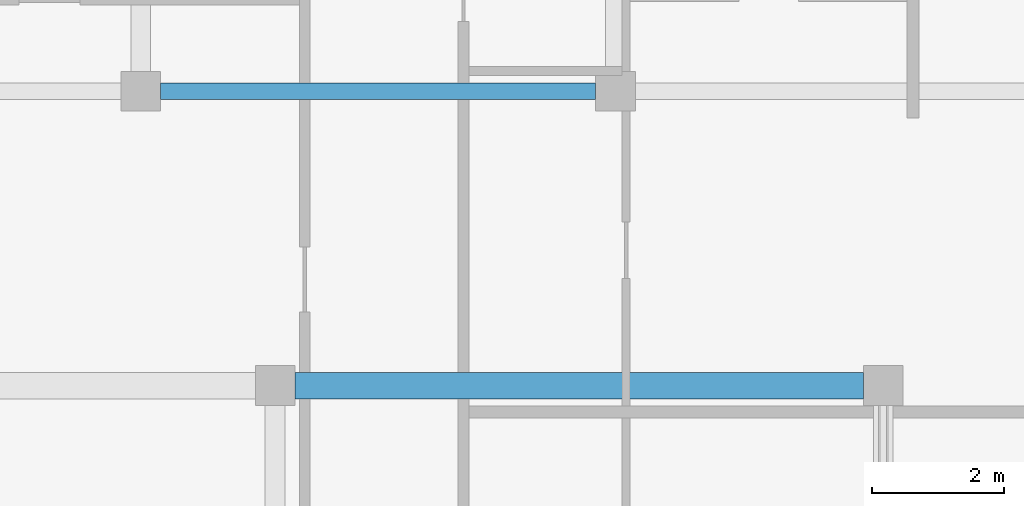
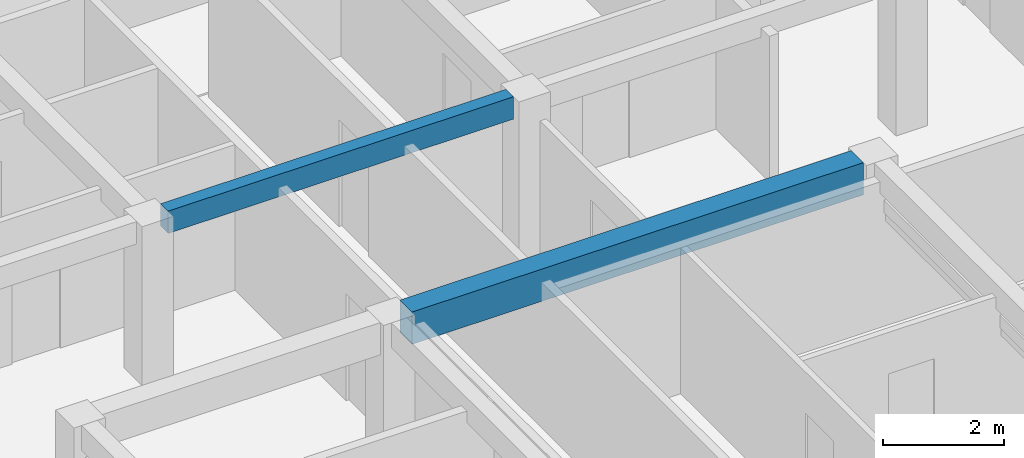
# One storey, part 15 of 76: 2 beams.
"""IFC4 building model written with IfcOpenShell, lengths in metres."""

from ifc_helpers import new_model, si_unit, direction, frame, origin, origin_2d, place, context, subcontext, project, spatial, rectangle, extrude, material, material_profile, profile_set, type_object, element, save


model = new_model("IFC4")

# Units and contexts
model_context = context("Model", 3, precision=1e-05, world=origin(), true_north=direction((0.0, 1.0)))
body_context = subcontext(model_context, "Body", "Model", "MODEL_VIEW")
ifc_project = project(units=[si_unit("LENGTHUNIT", "METRE"), si_unit("AREAUNIT", "SQUARE_METRE"), si_unit("VOLUMEUNIT", "CUBIC_METRE"), si_unit("PLANEANGLEUNIT", "RADIAN"), si_unit("MASSUNIT", "GRAM", prefix="KILO")], contexts=[model_context])

# Site, building, storey
site_placement = place(None, origin())
site = spatial("IfcSite", under=ifc_project, at=site_placement, CompositionType="ELEMENT")
building_placement = place(site_placement, origin())
building = spatial("IfcBuilding", under=site, at=building_placement, Name="Keldmere Railside Commons", CompositionType="ELEMENT")
storey_placement = place(building_placement, frame((0.0, 0.0, 13.760009765625)))
storey = spatial("IfcBuildingStorey", under=building, at=storey_placement, Name="L04", CompositionType="ELEMENT", Elevation=13.760009765625)

# Beams
ifc_material_1 = material(Name="Architectural Precast Concrete H-35 (C35/45)", Category="concrete")
ifc_material_profile_1 = material_profile(ifc_material_1, rectangle(XDim=0.25, YDim=0.449951171875, at=origin_2d()), Name="RC-250x450")
ifc_profile_set_1 = profile_set([ifc_material_profile_1], Name="Architectural Precast Concrete H-35 (C35/45)")
beam_type_1 = type_object("IfcBeamType", Name="Perimeter Precast Spandrel Beam 250x450", PredefinedType="SPANDREL", material=ifc_profile_set_1)
beam_1_placement = place(storey_placement, frame((108.616943359375, 100.449951171875, 2.97509765625), z_axis=(1.0, 0.0, 0.0), x_axis=(0.0, 1.0, 0.0)))
element("IfcBeam", 1, at=beam_1_placement, inside=storey, type_object=beam_type_1, Name="SPB-1 BM-L04-1560", PredefinedType="SPANDREL", context=body_context, shape_type="SweptSolid", body=[
    extrude(rectangle(XDim=0.25, YDim=0.449951171875, at=origin_2d()), origin(), (0.0, 0.0, 1.0), 6.5830078125),
])
ifc_material_2 = material(Name="Concrete H-30 (C30/37)", Category="concrete")
ifc_material_profile_2 = material_profile(ifc_material_2, rectangle(XDim=0.39990234375, YDim=0.64990234375, at=origin_2d()), Name="RC-400x650")
ifc_profile_set_2 = profile_set([ifc_material_profile_2], Name="Concrete H-30 (C30/37)")
beam_type_2 = type_object("IfcBeamType", Name="Residential Spine RC Girder 400x650", PredefinedType="BEAM", material=ifc_profile_set_2)
beam_2_placement = place(storey_placement, frame((110.64990234375, 96.0, 2.875), z_axis=(1.0, 0.0, 0.0), x_axis=(0.0, 1.0, 0.0)))
element("IfcBeam", 2, at=beam_2_placement, inside=storey, type_object=beam_type_2, Name="BG-3 BM-L04-1551", PredefinedType="BEAM", context=body_context, shape_type="SweptSolid", body=[
    extrude(rectangle(XDim=0.39990234375, YDim=0.64990234375, at=origin_2d()), origin(), (0.0, 0.0, 1.0), 8.60009765625),
])

save(model, "model.ifc")
